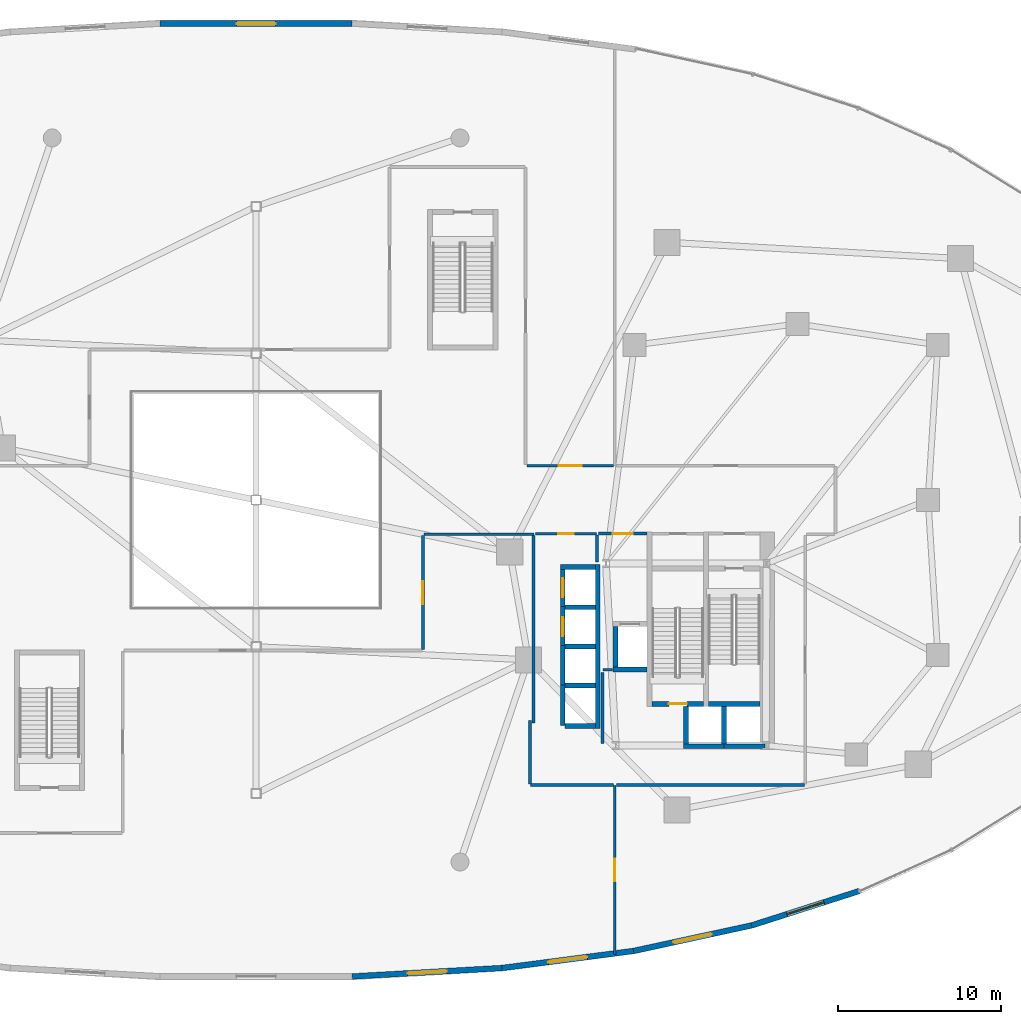
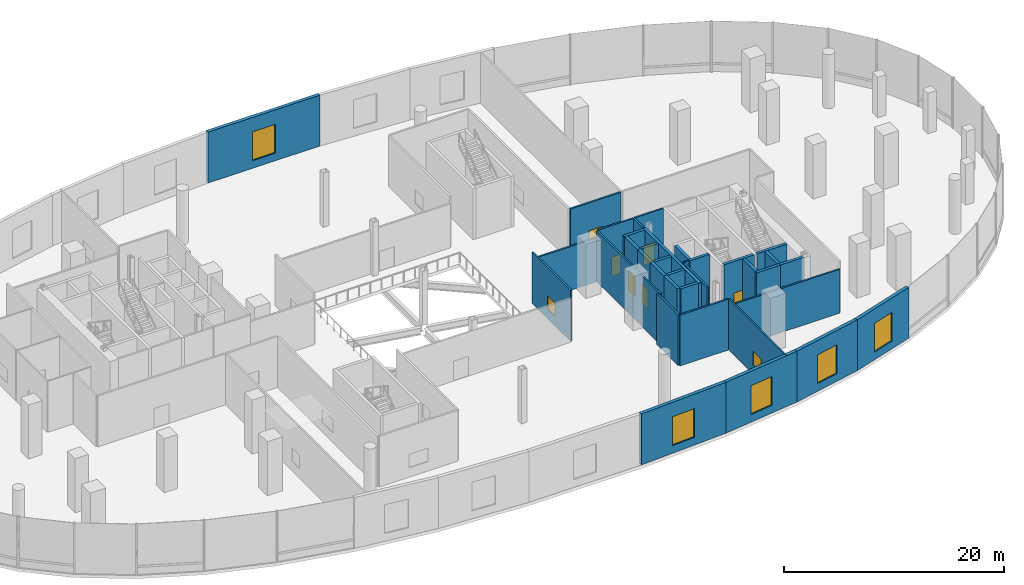
# One storey, part 14 of 20: 36 walls, 8 windows, 5 doors, 13 openings.
"""IFC4 building model written with IfcOpenShell, lengths in metres."""

from ifc_helpers import new_model, si_unit, direction, frame, frame_2d, origin, place, context, subcontext, project, spatial, rectangle, extrude, material, layer, layer_set, type_object, element, fill, save


model = new_model("IFC4")

# Units and contexts
model_context = context("Model", 3, precision=1e-05, world=origin(), true_north=direction((0.0, 1.0)))
body_context = subcontext(model_context, "Body", "Model", "MODEL_VIEW")
ifc_project = project(units=[si_unit("LENGTHUNIT", "METRE"), si_unit("AREAUNIT", "SQUARE_METRE"), si_unit("VOLUMEUNIT", "CUBIC_METRE"), si_unit("PLANEANGLEUNIT", "RADIAN"), si_unit("MASSUNIT", "GRAM", prefix="KILO"), si_unit("THERMODYNAMICTEMPERATUREUNIT", "KELVIN"), si_unit("POWERUNIT", "WATT")], contexts=[model_context])

# Site, building, storey
site_placement = place(None, origin())
site = spatial("IfcSite", under=ifc_project, at=site_placement, CompositionType="ELEMENT")
building_placement = place(site_placement, origin())
building = spatial("IfcBuilding", under=site, at=building_placement, Name="Cundina Bronze Exchange", CompositionType="ELEMENT")
storey_placement = place(building_placement, frame((0.0, 0.0, 6.0)))
storey = spatial("IfcBuildingStorey", under=building, at=storey_placement, Name="L01", CompositionType="ELEMENT", Elevation=6.0)

# Wall
ifc_material_1 = material(Name="Gypsum Fireboard Partition EI120")
ifc_layer_1 = layer(ifc_material_1, 0.179931640625, Name="Gypsum Fireboard Partition EI120")
ifc_layer_set_1 = layer_set([ifc_layer_1], Name="Gypsum Fireboard Partition EI120")
wall_type_1 = type_object("IfcWallType", Name="WL-COR-180", PredefinedType="PARTITIONING", material=ifc_layer_set_1)
wall_1_placement = place(storey_placement, frame((20.889892578125, -3.800048828125, 0.0), z_axis=(0.0, 0.0, 1.0), x_axis=(0.0, 1.0, 0.0)))
element("IfcWall", 1, at=wall_1_placement, inside=storey, type_object=wall_type_1, Name="L01 E Firefighting Lobby Side Wall", PredefinedType="PARTITIONING", context=body_context, shape_type="SweptSolid", body=[
    extrude(rectangle(XDim=1.650146484375, YDim=0.179931640625, at=frame_2d((0.8251953125, 0.0))), origin(), (0.0, 0.0, 1.0), 5.64990234375),
])

# Wall, opening, door
wall_2_placement = place(storey_placement, frame((20.97998046875, -2.06005859375, 0.0), z_axis=(0.0, 0.0, 1.0), x_axis=(1.0, 0.0, 0.0)))
wall_2 = element("IfcWall", 2, at=wall_2_placement, inside=storey, type_object=wall_type_1, Name="L01 E Firefighting Lobby Exit Wall", PredefinedType="PARTITIONING", context=body_context, shape_type="SweptSolid", body=[
    extrude(rectangle(XDim=3.0, YDim=0.179931640625, at=frame_2d((1.5, 0.0))), origin(), (0.0, 0.0, 1.0), 5.64990234375),
])
opening_1_placement = place(wall_2_placement, frame((0.89990234375, 0.0, 0.0)))
opening_1 = element("IfcOpeningElement", 3, at=opening_1_placement, cuts=wall_2, Name="Opening DF-01", PredefinedType="OPENING", context=body_context, shape_type="SweptSolid", body=[
    extrude(rectangle(XDim=1.199951171875, YDim=2.14990234375, at=frame_2d((0.60009765625, 1.074951171875))), frame((0.0, 0.099853515625, 0.0), z_axis=(0.0, -1.0, 0.0), x_axis=(1.0, 0.0, 0.0)), (0.0, 0.0, 1.0), 0.199951171875),
])
ifc_material_2 = material(Name="Steel ASTM A36 Painted", Category="steel")
door_type_1 = type_object("IfcDoorType", Name="DR-FFL-1200", OperationType="NOTDEFINED", PredefinedType="DOOR", material=ifc_material_2)
door_1_placement = place(opening_1_placement, origin())
door_1 = element("IfcDoor", 4, at=door_1_placement, inside=storey, type_object=door_type_1, Name="L01 E Firefighting Lobby Door", OperationType="SINGLE_SWING_LEFT", OverallHeight=2.14990234375, OverallWidth=1.199951171875, PredefinedType="DOOR", context=body_context, shape_type="SweptSolid", body=[
    extrude(rectangle(XDim=1.199951171875, YDim=2.14990234375, at=frame_2d((0.60009765625, 1.074951171875))), frame((0.0, 0.02490234375, 0.0), z_axis=(0.0, -1.0, 0.0), x_axis=(1.0, 0.0, 0.0)), (0.0, 0.0, 1.0), 0.050048828125),
])
fill(opening_1, door_1)

# Wall
wall_3_placement = place(storey_placement, frame((17.02001953125, -13.679931640625, 0.0), z_axis=(0.0, 0.0, 1.0), x_axis=(0.0, 1.0, 0.0)))
element("IfcWall", 5, at=wall_3_placement, inside=storey, type_object=wall_type_1, Name="L01 Interior Partition 006", PredefinedType="PARTITIONING", context=body_context, shape_type="SweptSolid", body=[
    extrude(rectangle(XDim=11.510009765625, YDim=0.179931640625, at=frame_2d((5.7548828125, 0.0))), origin(), (0.0, 0.0, 1.0), 5.64990234375),
])

# Wall, opening, door
wall_4_placement = place(storey_placement, frame((17.1201171875, -2.070068359375, 0.0), z_axis=(0.0, 0.0, 1.0), x_axis=(1.0, 0.0, 0.0)))
wall_4 = element("IfcWall", 6, at=wall_4_placement, inside=storey, type_object=wall_type_1, Name="L01 Interior Partition 007", PredefinedType="PARTITIONING", context=body_context, shape_type="SweptSolid", body=[
    extrude(rectangle(XDim=3.75, YDim=0.179931640625, at=frame_2d((1.875, 0.0))), origin(), (0.0, 0.0, 1.0), 5.64990234375),
])
opening_2_placement = place(wall_4_placement, frame((1.39990234375, 0.0, 0.0)))
opening_2 = element("IfcOpeningElement", 7, at=opening_2_placement, cuts=wall_4, Name="Opening DW-01", PredefinedType="OPENING", context=body_context, shape_type="SweptSolid", body=[
    extrude(rectangle(XDim=0.949951171875, YDim=2.10009765625, at=frame_2d((0.47509765625, 1.050048828125))), frame((0.0, 0.099853515625, 0.0), z_axis=(0.0, -1.0, 0.0), x_axis=(1.0, 0.0, 0.0)), (0.0, 0.0, 1.0), 0.199951171875),
])
ifc_material_3 = material(Name="Solid Andean Oak Timber Grade A", Category="wood")
door_type_2 = type_object("IfcDoorType", Name="DR-WC-950", OperationType="NOTDEFINED", PredefinedType="DOOR", material=ifc_material_3)
door_2_placement = place(opening_2_placement, origin())
door_2 = element("IfcDoor", 8, at=door_2_placement, inside=storey, type_object=door_type_2, Name="L01 Interior Door 007", OperationType="SINGLE_SWING_RIGHT", OverallHeight=2.10009765625, OverallWidth=0.949951171875, PredefinedType="DOOR", context=body_context, shape_type="SweptSolid", body=[
    extrude(rectangle(XDim=0.949951171875, YDim=2.10009765625, at=frame_2d((0.47509765625, 1.050048828125))), frame((0.0, 0.02490234375, 0.0), z_axis=(0.0, -1.0, 0.0), x_axis=(1.0, 0.0, 0.0)), (0.0, 0.0, 1.0), 0.050048828125),
])
fill(opening_2, door_2)

# Wall
wall_5_placement = place(storey_placement, frame((21.25, -14.929931640625, 0.0), z_axis=(0.0, 0.0, 1.0), x_axis=(0.0, 1.0, 0.0)))
element("IfcWall", 9, at=wall_5_placement, inside=storey, type_object=wall_type_1, Name="L01 Interior Partition 009", PredefinedType="PARTITIONING", context=body_context, shape_type="SweptSolid", body=[
    extrude(rectangle(XDim=4.35986328125, YDim=0.179931640625, at=frame_2d((2.179931640625, 0.0))), origin(), (0.0, 0.0, 1.0), 5.64990234375),
])

# Wall, opening, window
wall_6_placement = place(storey_placement, frame((10.219970703125, -9.178466796875, 0.0), z_axis=(0.0, 0.0, 1.0), x_axis=(0.0, 1.0, 0.0)))
wall_6 = element("IfcWall", 10, at=wall_6_placement, inside=storey, type_object=wall_type_1, Name="L01 Interior Partition 027", PredefinedType="PARTITIONING", context=body_context, shape_type="SweptSolid", body=[
    extrude(rectangle(XDim=6.99853515625, YDim=0.179931640625, at=frame_2d((3.499267578125, 0.0))), origin(), (0.0, 0.0, 1.0), 5.64990234375),
])
opening_3_placement = place(wall_6_placement, frame((2.799072265625, 0.0, 1.050048828125)))
opening_3 = element("IfcOpeningElement", 11, at=opening_3_placement, cuts=wall_6, Name="Opening WI-02", PredefinedType="OPENING", context=body_context, shape_type="SweptSolid", body=[
    extrude(rectangle(XDim=1.39990234375, YDim=1.5, at=frame_2d((0.699951171875, 0.75))), frame((0.0, 0.099853515625, 0.0), z_axis=(0.0, -1.0, 0.0), x_axis=(1.0, 0.0, 0.0)), (0.0, 0.0, 1.0), 0.199951171875),
])
ifc_material_4 = material(Name="Clear Low-E Insulating Glass 26mm", Category="glass")
window_type_1 = type_object("IfcWindowType", Name="WN-INT-1400", PartitioningType="SINGLE_PANEL", PredefinedType="WINDOW", material=ifc_material_4)
window_1_placement = place(opening_3_placement, origin())
window_1 = element("IfcWindow", 12, at=window_1_placement, inside=storey, type_object=window_type_1, Name="L01 Interior Acoustic Vision Window 027", OverallHeight=1.5, OverallWidth=1.39990234375, PartitioningType="SINGLE_PANEL", PredefinedType="WINDOW", context=body_context, shape_type="SweptSolid", body=[
    extrude(rectangle(XDim=1.39990234375, YDim=1.5, at=frame_2d((0.699951171875, 0.75))), frame((0.0, 0.030029296875, 0.0), z_axis=(0.0, -1.0, 0.0), x_axis=(1.0, 0.0, 0.0)), (0.0, 0.0, 1.0), 0.06005859375),
])
fill(opening_3, window_1)

# Walls
wall_7_placement = place(storey_placement, frame((10.300048828125, -2.10009765625, 0.0), z_axis=(0.0, 0.0, 1.0), x_axis=(1.0, 0.0, 0.0)))
element("IfcWall", 13, at=wall_7_placement, inside=storey, type_object=wall_type_1, Name="L01 Interior Partition 028", PredefinedType="PARTITIONING", context=body_context, shape_type="SweptSolid", body=[
    extrude(rectangle(XDim=6.739990234375, YDim=0.179931640625, at=frame_2d((3.3701171875, 0.0))), origin(), (0.0, 0.0, 1.0), 4.876953125),
])
wall_8_placement = place(storey_placement, frame((16.821533203125, -17.469970703125, 0.0), z_axis=(0.0, 0.0, 1.0), x_axis=(1.0, 0.0, 0.0)))
element("IfcWall", 14, at=wall_8_placement, inside=storey, type_object=wall_type_1, Name="L01 Interior Partition 030", PredefinedType="PARTITIONING", context=body_context, shape_type="SweptSolid", body=[
    extrude(rectangle(XDim=5.08349609375, YDim=0.179931640625, at=frame_2d((2.541748046875, 0.0))), origin(), (0.0, 0.0, 1.0), 5.64990234375),
])
wall_9_placement = place(storey_placement, frame((16.780029296875, -13.521484375, 0.0), z_axis=(0.0, 0.0, 1.0), x_axis=(0.0, -1.0, 0.0)))
element("IfcWall", 15, at=wall_9_placement, inside=storey, type_object=wall_type_1, Name="L01 Interior Partition 031", PredefinedType="PARTITIONING", context=body_context, shape_type="SweptSolid", body=[
    extrude(rectangle(XDim=3.906982421875, YDim=0.179931640625, at=frame_2d((1.95361328125, 0.0))), origin(), (0.0, 0.0, 1.0), 5.64990234375),
])
wall_10_placement = place(storey_placement, frame((22.094970703125, -17.469970703125, 0.0), z_axis=(0.0, 0.0, 1.0), x_axis=(1.0, 0.0, 0.0)))
element("IfcWall", 16, at=wall_10_placement, inside=storey, type_object=wall_type_1, Name="L01 Interior Partition 038", PredefinedType="PARTITIONING", context=body_context, shape_type="SweptSolid", body=[
    extrude(rectangle(XDim=11.533447265625, YDim=0.179931640625, at=frame_2d((5.7666015625, 0.0))), origin(), (0.0, 0.0, 1.0), 4.876953125),
])

# Wall, opening, window
wall_11_placement = place(storey_placement, frame((21.905029296875, 2.10009765625, 0.0), z_axis=(0.0, 0.0, 1.0), x_axis=(-1.0, 0.0, 0.0)))
wall_11 = element("IfcWall", 17, at=wall_11_placement, inside=storey, type_object=wall_type_1, Name="L01 Interior Partition 047", PredefinedType="PARTITIONING", context=body_context, shape_type="SweptSolid", body=[
    extrude(rectangle(XDim=5.304931640625, YDim=0.179931640625, at=frame_2d((2.65234375, 0.0))), origin(), (0.0, 0.0, 1.0), 5.64990234375),
])
opening_4_placement = place(wall_11_placement, frame((1.951904296875, 0.0, 1.050048828125)))
opening_4 = element("IfcOpeningElement", 18, at=opening_4_placement, cuts=wall_11, Name="Opening WI-02", PredefinedType="OPENING", context=body_context, shape_type="SweptSolid", body=[
    extrude(rectangle(XDim=1.39990234375, YDim=1.5, at=frame_2d((0.699951171875, 0.75))), frame((0.0, 0.099853515625, 0.0), z_axis=(0.0, -1.0, 0.0), x_axis=(1.0, 0.0, 0.0)), (0.0, 0.0, 1.0), 0.199951171875),
])
window_2_placement = place(opening_4_placement, origin())
window_2 = element("IfcWindow", 19, at=window_2_placement, inside=storey, type_object=window_type_1, Name="L01 Interior Acoustic Vision Window 047", OverallHeight=1.5, OverallWidth=1.39990234375, PartitioningType="SINGLE_PANEL", PredefinedType="WINDOW", context=body_context, shape_type="SweptSolid", body=[
    extrude(rectangle(XDim=1.39990234375, YDim=1.5, at=frame_2d((0.699951171875, 0.75))), frame((0.0, 0.030029296875, 0.0), z_axis=(0.0, -1.0, 0.0), x_axis=(1.0, 0.0, 0.0)), (0.0, 0.0, 1.0), 0.06005859375),
])
fill(opening_4, window_2)

ifc_material_5 = material(Name="Concrete C40/50", Category="concrete")
ifc_layer_2 = layer(ifc_material_5, 0.35009765625, Name="Concrete C40/50", Category="concrete")
ifc_layer_set_2 = layer_set([ifc_layer_2], Name="Concrete C40/50")
wall_type_2 = type_object("IfcWallType", Name="WL-EXT-350", PredefinedType="SOLIDWALL", material=ifc_layer_set_2)
wall_12_placement = place(storey_placement, frame((5.892578125, 29.21630859375, 0.0), z_axis=(0.0, 0.0, 1.0), x_axis=(-1.0, 0.0, 0.0)))
wall_12 = element("IfcWall", 20, at=wall_12_placement, inside=storey, type_object=wall_type_2, Name="L01 Podium Exterior Wall 10", PredefinedType="SOLIDWALL", context=body_context, shape_type="SweptSolid", body=[
    extrude(rectangle(XDim=11.78515625, YDim=0.35009765625, at=frame_2d((5.892578125, 0.0))), origin(), (0.0, 0.0, 1.0), 5.64990234375),
])
opening_5_placement = place(wall_12_placement, frame((4.69189453125, 0.0, 0.85009765625)))
opening_5 = element("IfcOpeningElement", 21, at=opening_5_placement, cuts=wall_12, Name="Opening W-01", PredefinedType="OPENING", context=body_context, shape_type="SweptSolid", body=[
    extrude(rectangle(XDim=2.39990234375, YDim=3.199951171875, at=frame_2d((1.199951171875, 1.60009765625))), frame((0.0, 0.18505859375, 0.0), z_axis=(0.0, -1.0, 0.0), x_axis=(1.0, 0.0, 0.0)), (0.0, 0.0, 1.0), 0.3701171875),
])
ifc_material_6 = material(Name="Heat-Strengthened Solar-Control Bronze Safety Glass 28mm", Category="glass")
window_type_2 = type_object("IfcWindowType", Name="WN-POD-2400", PartitioningType="SINGLE_PANEL", PredefinedType="WINDOW", material=ifc_material_6)
window_3_placement = place(opening_5_placement, origin())
window_3 = element("IfcWindow", 22, at=window_3_placement, inside=storey, type_object=window_type_2, Name="L01 Podium Punched Window 10", OverallHeight=3.199951171875, OverallWidth=2.39990234375, PartitioningType="SINGLE_PANEL", PredefinedType="WINDOW", context=body_context, shape_type="SweptSolid", body=[
    extrude(rectangle(XDim=2.39990234375, YDim=3.199951171875, at=frame_2d((1.199951171875, 1.60009765625))), frame((0.0, 0.030029296875, 0.0), z_axis=(0.0, -1.0, 0.0), x_axis=(1.0, 0.0, 0.0)), (0.0, 0.0, 1.0), 0.06005859375),
])
fill(opening_5, window_3)

wall_13_placement = place(storey_placement, frame((5.892578125, -29.21630859375, 0.0), z_axis=(0.0, 0.0, 1.0), x_axis=(0.998413463137, 0.056307695976, 0.0)))
wall_13 = element("IfcWall", 23, at=wall_13_placement, inside=storey, type_object=wall_type_2, Name="L01 Podium Exterior Wall 33", PredefinedType="SOLIDWALL", context=body_context, shape_type="SweptSolid", body=[
    extrude(rectangle(XDim=9.20068359375, YDim=0.35009765625, at=frame_2d((4.600341796875, 0.0))), origin(), (0.0, 0.0, 1.0), 5.64990234375),
])
opening_6_placement = place(wall_13_placement, frame((3.39990234375, 0.0, 0.85009765625)))
opening_6 = element("IfcOpeningElement", 24, at=opening_6_placement, cuts=wall_13, Name="Opening W-01", PredefinedType="OPENING", context=body_context, shape_type="SweptSolid", body=[
    extrude(rectangle(XDim=2.39990234375, YDim=3.199951171875, at=frame_2d((1.199951171875, 1.60009765625))), frame((0.0, 0.18505859375, 0.0), z_axis=(0.0, -1.0, 0.0), x_axis=(1.0, 0.0, 0.0)), (0.0, 0.0, 1.0), 0.3701171875),
])
window_4_placement = place(opening_6_placement, origin())
window_4 = element("IfcWindow", 25, at=window_4_placement, inside=storey, type_object=window_type_2, Name="L01 Podium Punched Window 33", OverallHeight=3.199951171875, OverallWidth=2.39990234375, PartitioningType="SINGLE_PANEL", PredefinedType="WINDOW", context=body_context, shape_type="SweptSolid", body=[
    extrude(rectangle(XDim=2.39990234375, YDim=3.199951171875, at=frame_2d((1.199951171875, 1.60009765625))), frame((0.0, 0.030029296875, 0.0), z_axis=(0.0, -1.0, 0.0), x_axis=(1.0, 0.0, 0.0)), (0.0, 0.0, 1.0), 0.06005859375),
])
fill(opening_6, window_4)

wall_14_placement = place(storey_placement, frame((15.07861328125, -28.6982421875, 0.0), z_axis=(0.0, 0.0, 1.0), x_axis=(0.991688106477, 0.128665067026, 0.0)))
wall_14 = element("IfcWall", 26, at=wall_14_placement, inside=storey, type_object=wall_type_2, Name="L01 Podium Exterior Wall 34", PredefinedType="SOLIDWALL", context=body_context, shape_type="SweptSolid", body=[
    extrude(rectangle(XDim=8.12890625, YDim=0.35009765625, at=frame_2d((4.064453125, 0.0))), origin(), (0.0, 0.0, 1.0), 5.64990234375),
])
opening_7_placement = place(wall_14_placement, frame((2.864013671875, 0.0, 0.85009765625)))
opening_7 = element("IfcOpeningElement", 27, at=opening_7_placement, cuts=wall_14, Name="Opening W-01", PredefinedType="OPENING", context=body_context, shape_type="SweptSolid", body=[
    extrude(rectangle(XDim=2.39990234375, YDim=3.199951171875, at=frame_2d((1.199951171875, 1.60009765625))), frame((0.0, 0.18505859375, 0.0), z_axis=(0.0, -1.0, 0.0), x_axis=(1.0, 0.0, 0.0)), (0.0, 0.0, 1.0), 0.3701171875),
])
window_5_placement = place(opening_7_placement, origin())
window_5 = element("IfcWindow", 28, at=window_5_placement, inside=storey, type_object=window_type_2, Name="L01 Podium Punched Window 34", OverallHeight=3.199951171875, OverallWidth=2.39990234375, PartitioningType="SINGLE_PANEL", PredefinedType="WINDOW", context=body_context, shape_type="SweptSolid", body=[
    extrude(rectangle(XDim=2.39990234375, YDim=3.199951171875, at=frame_2d((1.199951171875, 1.60009765625))), frame((0.0, 0.030029296875, 0.0), z_axis=(0.0, -1.0, 0.0), x_axis=(1.0, 0.0, 0.0)), (0.0, 0.0, 1.0), 0.06005859375),
])
fill(opening_7, window_5)

wall_15_placement = place(storey_placement, frame((23.139892578125, -27.65234375, 0.0), z_axis=(0.0, 0.0, 1.0), x_axis=(0.977456656467, 0.211136175795, 0.0)))
wall_15 = element("IfcWall", 29, at=wall_15_placement, inside=storey, type_object=wall_type_2, Name="L01 Podium Exterior Wall 35", PredefinedType="SOLIDWALL", context=body_context, shape_type="SweptSolid", body=[
    extrude(rectangle(XDim=7.40625, YDim=0.35009765625, at=frame_2d((3.703125, 0.0))), origin(), (0.0, 0.0, 1.0), 5.64990234375),
])
opening_8_placement = place(wall_15_placement, frame((2.5029296875, 0.0, 0.85009765625)))
opening_8 = element("IfcOpeningElement", 30, at=opening_8_placement, cuts=wall_15, Name="Opening W-01", PredefinedType="OPENING", context=body_context, shape_type="SweptSolid", body=[
    extrude(rectangle(XDim=2.39990234375, YDim=3.199951171875, at=frame_2d((1.199951171875, 1.60009765625))), frame((0.0, 0.18505859375, 0.0), z_axis=(0.0, -1.0, 0.0), x_axis=(1.0, 0.0, 0.0)), (0.0, 0.0, 1.0), 0.3701171875),
])
window_6_placement = place(opening_8_placement, origin())
window_6 = element("IfcWindow", 31, at=window_6_placement, inside=storey, type_object=window_type_2, Name="L01 Podium Punched Window 35", OverallHeight=3.199951171875, OverallWidth=2.39990234375, PartitioningType="SINGLE_PANEL", PredefinedType="WINDOW", context=body_context, shape_type="SweptSolid", body=[
    extrude(rectangle(XDim=2.39990234375, YDim=3.199951171875, at=frame_2d((1.199951171875, 1.60009765625))), frame((0.0, 0.030029296875, 0.0), z_axis=(0.0, -1.0, 0.0), x_axis=(1.0, 0.0, 0.0)), (0.0, 0.0, 1.0), 0.06005859375),
])
fill(opening_8, window_6)

wall_16_placement = place(storey_placement, frame((30.379150390625, -26.088623046875, 0.0), z_axis=(0.0, 0.0, 1.0), x_axis=(0.952587993211, 0.304263233385, 0.0)))
wall_16 = element("IfcWall", 32, at=wall_16_placement, inside=storey, type_object=wall_type_2, Name="L01 Podium Exterior Wall 36", PredefinedType="SOLIDWALL", context=body_context, shape_type="SweptSolid", body=[
    extrude(rectangle(XDim=6.931884765625, YDim=0.35009765625, at=frame_2d((3.4658203125, 0.0))), origin(), (0.0, 0.0, 1.0), 5.64990234375),
])
opening_9_placement = place(wall_16_placement, frame((2.26611328125, 0.0, 0.85009765625)))
opening_9 = element("IfcOpeningElement", 33, at=opening_9_placement, cuts=wall_16, Name="Opening W-01", PredefinedType="OPENING", context=body_context, shape_type="SweptSolid", body=[
    extrude(rectangle(XDim=2.39990234375, YDim=3.199951171875, at=frame_2d((1.199951171875, 1.60009765625))), frame((0.0, 0.18505859375, 0.0), z_axis=(0.0, -1.0, 0.0), x_axis=(1.0, 0.0, 0.0)), (0.0, 0.0, 1.0), 0.3701171875),
])
window_7_placement = place(opening_9_placement, origin())
window_7 = element("IfcWindow", 34, at=window_7_placement, inside=storey, type_object=window_type_2, Name="L01 Podium Punched Window 36", OverallHeight=3.199951171875, OverallWidth=2.39990234375, PartitioningType="SINGLE_PANEL", PredefinedType="WINDOW", context=body_context, shape_type="SweptSolid", body=[
    extrude(rectangle(XDim=2.39990234375, YDim=3.199951171875, at=frame_2d((1.199951171875, 1.60009765625))), frame((0.0, 0.030029296875, 0.0), z_axis=(0.0, -1.0, 0.0), x_axis=(1.0, 0.0, 0.0)), (0.0, 0.0, 1.0), 0.06005859375),
])
fill(opening_9, window_7)

# Wall
ifc_material_7 = material(Name="Concrete C50/60", Category="concrete")
ifc_layer_3 = layer(ifc_material_7, 0.300048828125, Name="Concrete C50/60", Category="concrete")
ifc_layer_set_3 = layer_set([ifc_layer_3], Name="Concrete C50/60")
wall_type_3 = type_object("IfcWallType", Name="WL-SHFT-300", PredefinedType="SHEAR", material=ifc_layer_set_3)
wall_17_placement = place(storey_placement, frame((27.739990234375, -12.5, 0.0), z_axis=(0.0, 0.0, 1.0), x_axis=(1.0, 0.0, 0.0)))
element("IfcWall", 35, at=wall_17_placement, inside=storey, type_object=wall_type_3, Name="L01 Stair E1 Far Shaft Wall", PredefinedType="SHEAR", context=body_context, shape_type="SweptSolid", body=[
    extrude(rectangle(XDim=3.159912109375, YDim=0.300048828125, at=frame_2d((1.580078125, 0.0))), origin(), (0.0, 0.0, 1.0), 5.64990234375),
])

# Wall, opening, door
wall_18_placement = place(storey_placement, frame((24.280029296875, -12.5, 0.0), z_axis=(0.0, 0.0, 1.0), x_axis=(1.0, 0.0, 0.0)))
wall_18 = element("IfcWall", 36, at=wall_18_placement, inside=storey, type_object=wall_type_3, Name="L01 Stair E2 Landing Wall", PredefinedType="SHEAR", context=body_context, shape_type="SweptSolid", body=[
    extrude(rectangle(XDim=3.159912109375, YDim=0.300048828125, at=frame_2d((1.580078125, 0.0))), origin(), (0.0, 0.0, 1.0), 5.64990234375),
])
opening_10_placement = place(wall_18_placement, frame((1.030029296875, 0.0, 0.0)))
opening_10 = element("IfcOpeningElement", 37, at=opening_10_placement, cuts=wall_18, Name="Opening DS-01", PredefinedType="OPENING", context=body_context, shape_type="SweptSolid", body=[
    extrude(rectangle(XDim=1.10009765625, YDim=2.14990234375, at=frame_2d((0.550048828125, 1.074951171875))), frame((0.0, 0.159912109375, 0.0), z_axis=(0.0, -1.0, 0.0), x_axis=(1.0, 0.0, 0.0)), (0.0, 0.0, 1.0), 0.320068359375),
])
door_type_3 = type_object("IfcDoorType", Name="DR-STR-1100", OperationType="NOTDEFINED", PredefinedType="DOOR", material=ifc_material_2)
door_3_placement = place(opening_10_placement, origin())
door_3 = element("IfcDoor", 38, at=door_3_placement, inside=storey, type_object=door_type_3, Name="L01 Smokeproof Stair E2 Door", OperationType="SINGLE_SWING_RIGHT", OverallHeight=2.14990234375, OverallWidth=1.10009765625, PredefinedType="DOOR", context=body_context, shape_type="SweptSolid", body=[
    extrude(rectangle(XDim=1.10009765625, YDim=2.14990234375, at=frame_2d((0.550048828125, 1.074951171875))), frame((0.0, 0.02490234375, 0.0), z_axis=(0.0, -1.0, 0.0), x_axis=(1.0, 0.0, 0.0)), (0.0, 0.0, 1.0), 0.050048828125),
])
fill(opening_10, door_3)

# Walls
wall_19_placement = place(storey_placement, frame((21.8798828125, -10.39990234375, 0.0), z_axis=(0.0, 0.0, 1.0), x_axis=(1.0, 0.0, 0.0)))
element("IfcWall", 39, at=wall_19_placement, inside=storey, type_object=wall_type_3, Name="L01 FFL-E Hoistway Back Wall", PredefinedType="SHEAR", context=body_context, shape_type="SweptSolid", body=[
    extrude(rectangle(XDim=2.10009765625, YDim=0.300048828125, at=frame_2d((1.050048828125, 0.0))), origin(), (0.0, 0.0, 1.0), 5.64990234375),
])
for number, where, z_axis, x_axis, name in (
    (40, (22.030029296875, -10.25, 0.0), (0.0, 0.0, 1.0), (0.0, 1.0, 0.0), "L01 FFL-E Hoistway Side Wall"),
    (41, (28.699951171875, -15.10009765625, 0.0), (0.0, 0.0, 1.0), (1.0, 0.0, 0.0), "L01 PH-E1 Hoistway Front Wall"),
):
    element("IfcWall", number, at=place(storey_placement, frame(where, z_axis=z_axis, x_axis=x_axis)), inside=storey, type_object=wall_type_3, Name=name, PredefinedType="SHEAR", context=body_context, shape_type="SweptSolid", body=[
        extrude(rectangle(XDim=2.5, YDim=0.300048828125, at=frame_2d((1.25, 0.0))), origin(), (0.0, 0.0, 1.0), 5.64990234375),
    ])
wall_20_placement = place(storey_placement, frame((28.699951171875, -14.949951171875, 0.0), z_axis=(0.0, 0.0, 1.0), x_axis=(0.0, 1.0, 0.0)))
element("IfcWall", 42, at=wall_20_placement, inside=storey, type_object=wall_type_3, Name="L01 PH-E1 Hoistway Divider Wall", PredefinedType="SHEAR", context=body_context, shape_type="SweptSolid", body=[
    extrude(rectangle(XDim=2.300048828125, YDim=0.300048828125, at=frame_2d((1.14990234375, 0.0))), origin(), (0.0, 0.0, 1.0), 5.64990234375),
])
wall_21_placement = place(storey_placement, frame((26.199951171875, -15.10009765625, 0.0), z_axis=(0.0, 0.0, 1.0), x_axis=(1.0, 0.0, 0.0)))
element("IfcWall", 43, at=wall_21_placement, inside=storey, type_object=wall_type_3, Name="L01 PH-E2 Hoistway Front Wall", PredefinedType="SHEAR", context=body_context, shape_type="SweptSolid", body=[
    extrude(rectangle(XDim=2.5, YDim=0.300048828125, at=frame_2d((1.25, 0.0))), origin(), (0.0, 0.0, 1.0), 5.64990234375),
])
wall_22_placement = place(storey_placement, frame((26.35009765625, -14.949951171875, 0.0), z_axis=(0.0, 0.0, 1.0), x_axis=(0.0, 1.0, 0.0)))
element("IfcWall", 44, at=wall_22_placement, inside=storey, type_object=wall_type_3, Name="L01 PH-E2 Hoistway Divider Wall", PredefinedType="SHEAR", context=body_context, shape_type="SweptSolid", body=[
    extrude(rectangle(XDim=2.300048828125, YDim=0.300048828125, at=frame_2d((1.14990234375, 0.0))), origin(), (0.0, 0.0, 1.0), 5.64990234375),
])
wall_23_placement = place(storey_placement, frame((20.949951171875, -14.0, 0.0), z_axis=(0.0, 0.0, 1.0), x_axis=(0.0, 1.0, 0.0)))
element("IfcWall", 45, at=wall_23_placement, inside=storey, type_object=wall_type_3, Name="L01 E Passenger Bank Hoistway Back Wall", PredefinedType="SHEAR", context=body_context, shape_type="SweptSolid", body=[
    extrude(rectangle(XDim=10.050048828125, YDim=0.300048828125, at=frame_2d((5.02490234375, 0.0))), origin(), (0.0, 0.0, 1.0), 5.64990234375),
])
wall_24_placement = place(storey_placement, frame((18.949951171875, -13.85009765625, 0.0), z_axis=(0.0, 0.0, 1.0), x_axis=(1.0, 0.0, 0.0)))
element("IfcWall", 46, at=wall_24_placement, inside=storey, type_object=wall_type_3, Name="L01 E Passenger Bank South Cap Wall", PredefinedType="SHEAR", context=body_context, shape_type="SweptSolid", body=[
    extrude(rectangle(XDim=1.85009765625, YDim=0.300048828125, at=frame_2d((0.925048828125, 0.0))), origin(), (0.0, 0.0, 1.0), 5.64990234375),
])
wall_25_placement = place(storey_placement, frame((18.64990234375, -4.10009765625, 0.0), z_axis=(0.0, 0.0, 1.0), x_axis=(1.0, 0.0, 0.0)))
element("IfcWall", 47, at=wall_25_placement, inside=storey, type_object=wall_type_3, Name="L01 E Passenger Bank North Cap Wall", PredefinedType="SHEAR", context=body_context, shape_type="SweptSolid", body=[
    extrude(rectangle(XDim=2.150146484375, YDim=0.300048828125, at=frame_2d((1.0751953125, 0.0))), origin(), (0.0, 0.0, 1.0), 5.64990234375),
])
for number, where, z_axis, x_axis, name in (
    (48, (18.949951171875, -11.375, 0.0), (0.0, 0.0, 1.0), (1.0, 0.0, 0.0), "L01 E Passenger Hoistway Divider 1"),
    (49, (18.949951171875, -8.97509765625, 0.0), (0.0, 0.0, 1.0), (1.0, 0.0, 0.0), "L01 E Passenger Hoistway Divider 2"),
    (50, (18.949951171875, -6.574951171875, 0.0), (0.0, 0.0, 1.0), (1.0, 0.0, 0.0), "L01 E Passenger Hoistway Divider 3"),
):
    element("IfcWall", number, at=place(storey_placement, frame(where, z_axis=z_axis, x_axis=x_axis)), inside=storey, type_object=wall_type_3, Name=name, PredefinedType="SHEAR", context=body_context, shape_type="SweptSolid", body=[
        extrude(rectangle(XDim=1.85009765625, YDim=0.300048828125, at=frame_2d((0.925048828125, 0.0))), origin(), (0.0, 0.0, 1.0), 5.64990234375),
    ])
for number, where, z_axis, x_axis, name in (
    (51, (18.800048828125, -13.820068359375, 0.0), (0.0, 0.0, 1.0), (0.0, 1.0, 0.0), "L01 PM-E1 Hoistway Front Wall"),
    (52, (18.800048828125, -11.419921875, 0.0), (0.0, 0.0, 1.0), (0.0, 1.0, 0.0), "L01 PM-E2 Hoistway Front Wall"),
):
    element("IfcWall", number, at=place(storey_placement, frame(where, z_axis=z_axis, x_axis=x_axis)), inside=storey, type_object=wall_type_3, Name=name, PredefinedType="SHEAR", context=body_context, shape_type="SweptSolid", body=[
        extrude(rectangle(XDim=2.489990234375, YDim=0.300048828125, at=frame_2d((1.2451171875, 0.0))), origin(), (0.0, 0.0, 1.0), 5.64990234375),
    ])

# Wall, opening, door
wall_26_placement = place(storey_placement, frame((18.800048828125, -9.02001953125, 0.0), z_axis=(0.0, 0.0, 1.0), x_axis=(0.0, 1.0, 0.0)))
wall_26 = element("IfcWall", 53, at=wall_26_placement, inside=storey, type_object=wall_type_3, Name="L01 PL-E1 Hoistway Front Wall", PredefinedType="SHEAR", context=body_context, shape_type="SweptSolid", body=[
    extrude(rectangle(XDim=2.489990234375, YDim=0.300048828125, at=frame_2d((1.2451171875, 0.0))), origin(), (0.0, 0.0, 1.0), 5.64990234375),
])
opening_11_placement = place(wall_26_placement, frame((0.669921875, 0.0, 0.0)))
opening_11 = element("IfcOpeningElement", 54, at=opening_11_placement, cuts=wall_26, Name="Opening LD-01", PredefinedType="OPENING", context=body_context, shape_type="SweptSolid", body=[
    extrude(rectangle(XDim=1.14990234375, YDim=2.199951171875, at=frame_2d((0.574951171875, 1.10009765625))), frame((0.0, 0.159912109375, 0.0), z_axis=(0.0, -1.0, 0.0), x_axis=(1.0, 0.0, 0.0)), (0.0, 0.0, 1.0), 0.320068359375),
])
door_type_4 = type_object("IfcDoorType", Name="DR-LND-1150", OperationType="NOTDEFINED", PredefinedType="TRAPDOOR", material=ifc_material_2)
door_4_placement = place(opening_11_placement, origin())
door_4 = element("IfcDoor", 55, at=door_4_placement, inside=storey, type_object=door_type_4, Name="L01 PL-E1 Sliding Landing Door", OperationType="SLIDING_TO_LEFT", OverallHeight=2.199951171875, OverallWidth=1.14990234375, PredefinedType="TRAPDOOR", context=body_context, shape_type="SweptSolid", body=[
    extrude(rectangle(XDim=1.14990234375, YDim=2.199951171875, at=frame_2d((0.574951171875, 1.10009765625))), frame((0.0, 0.02490234375, 0.0), z_axis=(0.0, -1.0, 0.0), x_axis=(1.0, 0.0, 0.0)), (0.0, 0.0, 1.0), 0.050048828125),
])
fill(opening_11, door_4)

wall_27_placement = place(storey_placement, frame((18.800048828125, -6.6201171875, 0.0), z_axis=(0.0, 0.0, 1.0), x_axis=(0.0, 1.0, 0.0)))
wall_27 = element("IfcWall", 56, at=wall_27_placement, inside=storey, type_object=wall_type_3, Name="L01 PL-E2 Hoistway Front Wall", PredefinedType="SHEAR", context=body_context, shape_type="SweptSolid", body=[
    extrude(rectangle(XDim=2.490234375, YDim=0.300048828125, at=frame_2d((1.2451171875, 0.0))), origin(), (0.0, 0.0, 1.0), 5.64990234375),
])
opening_12_placement = place(wall_27_placement, frame((0.669921875, 0.0, 0.0)))
opening_12 = element("IfcOpeningElement", 57, at=opening_12_placement, cuts=wall_27, Name="Opening LD-01", PredefinedType="OPENING", context=body_context, shape_type="SweptSolid", body=[
    extrude(rectangle(XDim=1.14990234375, YDim=2.199951171875, at=frame_2d((0.574951171875, 1.10009765625))), frame((0.0, 0.159912109375, 0.0), z_axis=(0.0, -1.0, 0.0), x_axis=(1.0, 0.0, 0.0)), (0.0, 0.0, 1.0), 0.320068359375),
])
door_5_placement = place(opening_12_placement, origin())
door_5 = element("IfcDoor", 58, at=door_5_placement, inside=storey, type_object=door_type_4, Name="L01 PL-E2 Sliding Landing Door", OperationType="SLIDING_TO_LEFT", OverallHeight=2.199951171875, OverallWidth=1.14990234375, PredefinedType="TRAPDOOR", context=body_context, shape_type="SweptSolid", body=[
    extrude(rectangle(XDim=1.14990234375, YDim=2.199951171875, at=frame_2d((0.574951171875, 1.10009765625))), frame((0.0, 0.02490234375, 0.0), z_axis=(0.0, -1.0, 0.0), x_axis=(1.0, 0.0, 0.0)), (0.0, 0.0, 1.0), 0.050048828125),
])
fill(opening_12, door_5)

# Wall, opening, window
ifc_material_8 = material(Name="Gypsum Acoustic Partition EI60")
ifc_layer_4 = layer(ifc_material_8, 0.14990234375, Name="Gypsum Acoustic Partition EI60")
ifc_layer_set_4 = layer_set([ifc_layer_4], Name="Gypsum Acoustic Partition EI60")
wall_type_4 = type_object("IfcWallType", Name="WL-TEN-150", PredefinedType="PARTITIONING", material=ifc_layer_set_4)
wall_28_placement = place(storey_placement, frame((22.0, -27.8798828125, 0.0), z_axis=(0.0, 0.0, 1.0), x_axis=(0.0, 1.0, 0.0)))
wall_28 = element("IfcWall", 59, at=wall_28_placement, inside=storey, type_object=wall_type_4, Name="L01 Interior Partition 021", PredefinedType="PARTITIONING", context=body_context, shape_type="SweptSolid", body=[
    extrude(rectangle(XDim=10.3798828125, YDim=0.14990234375, at=frame_2d((5.18994140625, 0.0))), origin(), (0.0, 0.0, 1.0), 5.64990234375),
])
opening_13_placement = place(wall_28_placement, frame((4.489990234375, 0.0, 1.050048828125)))
opening_13 = element("IfcOpeningElement", 60, at=opening_13_placement, cuts=wall_28, Name="Opening WI-02", PredefinedType="OPENING", context=body_context, shape_type="SweptSolid", body=[
    extrude(rectangle(XDim=1.39990234375, YDim=1.5, at=frame_2d((0.699951171875, 0.75))), frame((0.0, 0.0849609375, 0.0), z_axis=(0.0, -1.0, 0.0), x_axis=(1.0, 0.0, 0.0)), (0.0, 0.0, 1.0), 0.169921875),
])
window_8_placement = place(opening_13_placement, origin())
window_8 = element("IfcWindow", 61, at=window_8_placement, inside=storey, type_object=window_type_1, Name="L01 Interior Acoustic Vision Window 021", OverallHeight=1.5, OverallWidth=1.39990234375, PartitioningType="SINGLE_PANEL", PredefinedType="WINDOW", context=body_context, shape_type="SweptSolid", body=[
    extrude(rectangle(XDim=1.39990234375, YDim=1.5, at=frame_2d((0.699951171875, 0.75))), frame((0.0, 0.030029296875, 0.0), z_axis=(0.0, -1.0, 0.0), x_axis=(1.0, 0.0, 0.0)), (0.0, 0.0, 1.0), 0.06005859375),
])
fill(opening_13, window_8)

# Wall
ifc_material_9 = material(Name="Moisture-Resistant Masonry Block Grade M15", Category="masonry")
ifc_layer_5 = layer(ifc_material_9, 0.139892578125, Name="Moisture-Resistant Masonry Block Grade M15", Category="masonry")
ifc_layer_set_5 = layer_set([ifc_layer_5], Name="Moisture-Resistant Masonry Block Grade M15")
wall_type_5 = type_object("IfcWallType", Name="WL-WET-140", PredefinedType="PARTITIONING", material=ifc_layer_set_5)
wall_29_placement = place(storey_placement, frame((21.27001953125, -10.39990234375, 0.0), z_axis=(0.0, 0.0, 1.0), x_axis=(1.0, 0.0, 0.0)))
element("IfcWall", 62, at=wall_29_placement, inside=storey, type_object=wall_type_5, Name="L01 Interior Partition 008", PredefinedType="PARTITIONING", context=body_context, shape_type="SweptSolid", body=[
    extrude(rectangle(XDim=0.590087890625, YDim=0.139892578125, at=frame_2d((0.294921875, 0.0))), origin(), (0.0, 0.0, 1.0), 5.64990234375),
])

save(model, "model.ifc")
